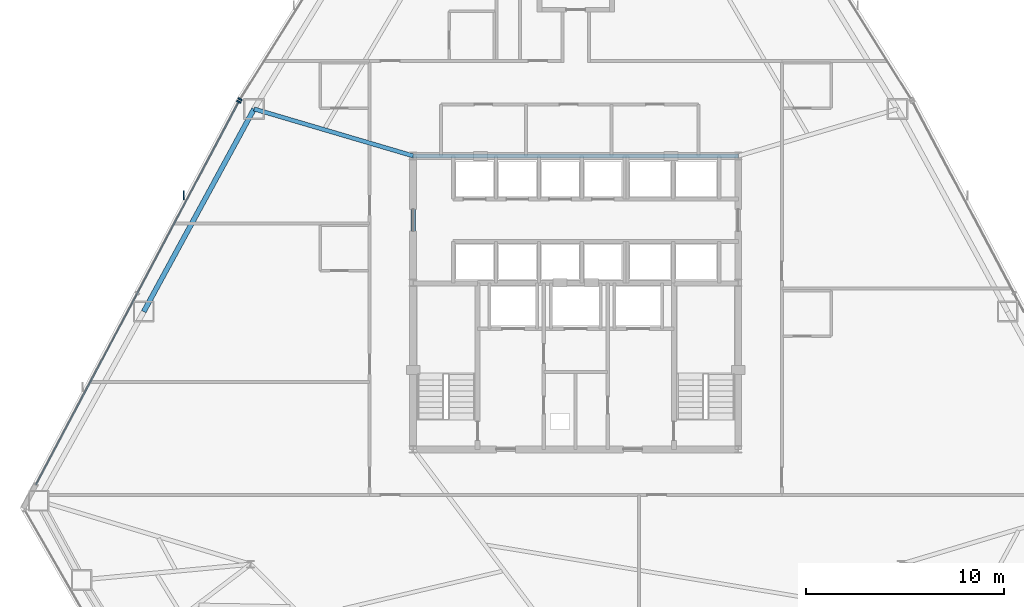
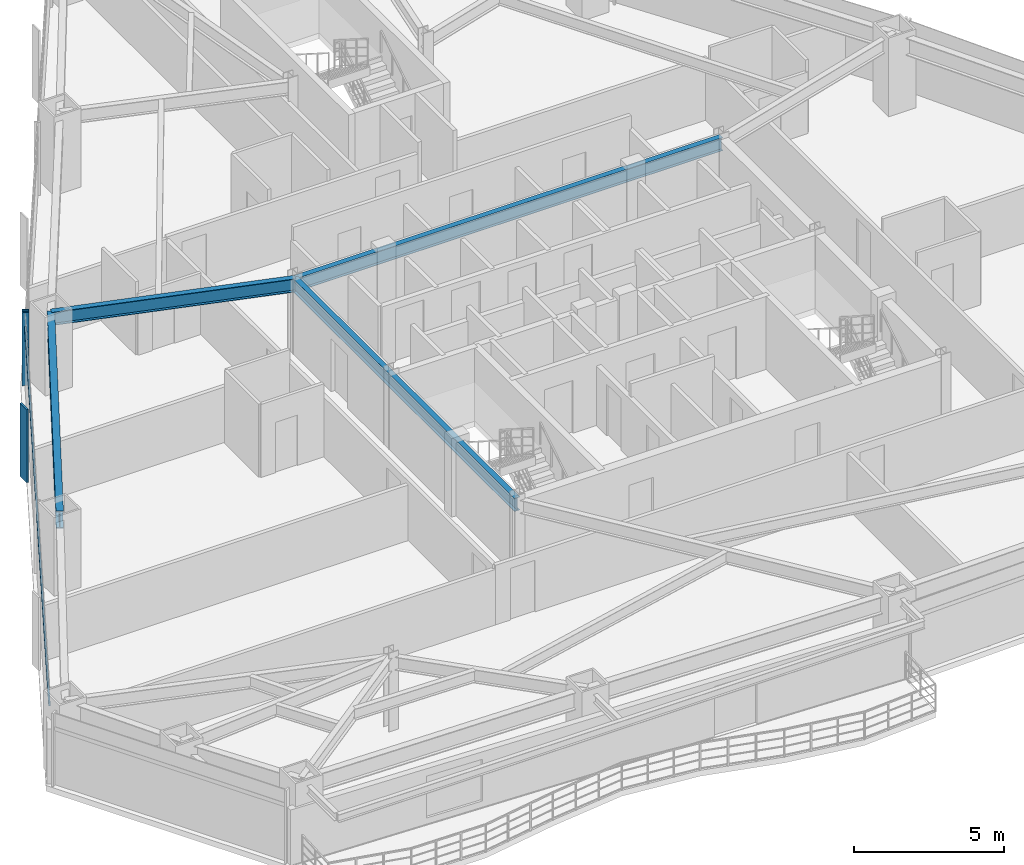
# One storey, part 5 of 13: 4 beams, 4 members, 2 elements without a shape of their own.
"""IFC4 building model written with IfcOpenShell, lengths in metres."""

from ifc_helpers import new_model, si_unit, direction, frame, origin, origin_2d, place, context, subcontext, project, spatial, rectangle, i_section, extrude, source, transform, mapped, material, layer, layer_set, material_profile, profile_set, type_object, type_shapes, element, aggregate, save


model = new_model("IFC4")

# Units and contexts
model_context = context("Model", 3, precision=1e-05, world=origin(), true_north=direction((0.0, 1.0)))
body_context = subcontext(model_context, "Body", "Model", "MODEL_VIEW")
ifc_project = project(units=[si_unit("LENGTHUNIT", "METRE"), si_unit("AREAUNIT", "SQUARE_METRE"), si_unit("VOLUMEUNIT", "CUBIC_METRE"), si_unit("PLANEANGLEUNIT", "RADIAN"), si_unit("MASSUNIT", "GRAM", prefix="KILO")], contexts=[model_context])

# Site, building, storey
site_placement = place(None, origin())
site = spatial("IfcSite", under=ifc_project, at=site_placement, CompositionType="ELEMENT")
building_placement = place(site_placement, origin())
building = spatial("IfcBuilding", under=site, at=building_placement, Name="Varakhsha Concourse Tower", CompositionType="ELEMENT")
storey_placement = place(building_placement, frame((0.0, 0.0, 92.60009765625)))
storey = spatial("IfcBuildingStorey", under=building, at=storey_placement, Name="L26", CompositionType="ELEMENT", Elevation=92.60009765625)

# Beams
ifc_material_1 = material(Name="Structural Steel ASTM A992 Grade 50", Category="steel")
ifc_material_profile_1 = material_profile(ifc_material_1, i_section(OverallWidth=0.2109375, OverallDepth=0.5390625, WebThickness=0.011962890625, FlangeThickness=0.01904296875, at=origin_2d()), Name="W21X73")
ifc_profile_set_1 = profile_set([ifc_material_profile_1], Name="Structural Steel ASTM A992 Grade 50")
beam_type_1 = type_object("IfcBeamType", Name="BM-RAD-W21X73", PredefinedType="BEAM", material=ifc_profile_set_1)
beam_1_placement = place(storey_placement, frame((31.800048828125, 31.199951171875, 2.700439453125), z_axis=(1.0, 0.0, 0.0), x_axis=(0.0, 1.0, 0.0)))
element("IfcBeam", 1, at=beam_1_placement, inside=storey, type_object=beam_type_1, Name="BM-TCORE-L26-CN", PredefinedType="BEAM", context=body_context, shape_type="SweptSolid", body=[
    extrude(i_section(OverallWidth=0.2109375, OverallDepth=0.5390625, WebThickness=0.011962890625, FlangeThickness=0.01904296875, at=origin_2d()), origin(), (0.0, 0.0, 1.0), 16.39990234375),
])
beam_2_placement = place(storey_placement, frame((31.800048828125, 16.39990234375, 2.700439453125), z_axis=(0.0, 1.0, 0.0), x_axis=(-1.0, 0.0, 0.0)))
element("IfcBeam", 2, at=beam_2_placement, inside=storey, type_object=beam_type_1, Name="BM-TCORE-L26-CW", PredefinedType="BEAM", context=body_context, shape_type="SweptSolid", body=[
    extrude(i_section(OverallWidth=0.2109375, OverallDepth=0.5390625, WebThickness=0.011962890625, FlangeThickness=0.01904296875, at=origin_2d()), origin(), (0.0, 0.0, 1.0), 14.800048828125),
])
beam_3_placement = place(storey_placement, frame((31.800048828125, 31.199951171875, 2.700439453125), z_axis=(-0.959108264711, 0.283039461143, 0.0), x_axis=(-0.283039461143, -0.959108264711, 0.0)))
element("IfcBeam", 3, at=beam_3_placement, inside=storey, type_object=beam_type_1, Name="L26 Radial Floor Girder 05", PredefinedType="BEAM", context=body_context, shape_type="SweptSolid", body=[
    extrude(i_section(OverallWidth=0.2109375, OverallDepth=0.5390625, WebThickness=0.011962890625, FlangeThickness=0.01904296875, at=origin_2d()), origin(), (0.0, 0.0, 1.0), 8.370361328125),
])
ifc_material_profile_2 = material_profile(ifc_material_1, i_section(OverallWidth=0.25390625, OverallDepth=0.701904296875, WebThickness=0.014892578125, FlangeThickness=0.028076171875, at=origin_2d()), Name="W27X129")
ifc_profile_set_2 = profile_set([ifc_material_profile_2], Name="Structural Steel ASTM A992 Grade 50")
beam_type_2 = type_object("IfcBeamType", Name="BM-SPAN-W27X129", PredefinedType="SPANDREL", material=ifc_profile_set_2)
beam_4_placement = place(storey_placement, frame((23.77197265625, 33.569091796875, 2.618896484375), z_axis=(-0.478070108108, -0.878321678962, 0.0), x_axis=(0.878321678962, -0.478070108108, 0.0)))
element("IfcBeam", 4, at=beam_4_placement, inside=storey, type_object=beam_type_2, Name="BM-SPAN-L26-05", PredefinedType="SPANDREL", context=body_context, shape_type="SweptSolid", body=[
    extrude(i_section(OverallWidth=0.25390625, OverallDepth=0.701904296875, WebThickness=0.014892578125, FlangeThickness=0.028076171875, at=origin_2d()), origin(), (0.0, 0.0, 1.0), 11.639404296875),
])

# Curtain wall, member
ifc_material_2 = material(Name="Anodised Bronze Architectural Aluminium AA 6063-T6", Category="aluminium")
ifc_layer = layer(ifc_material_2, 0.199951171875, Name="CW-SYS-03")
ifc_layer_set = layer_set([ifc_layer], Name="Anodised Bronze Architectural Aluminium AA 6063-T6")
curtain_wall_type = type_object("IfcCurtainWallType", Name="CW-SYS-03", PredefinedType="NOTDEFINED", material=ifc_layer_set)
curtain_wall_1_placement = place(storey_placement, origin())
curtain_wall_1 = element("IfcCurtainWall", 5, at=curtain_wall_1_placement, inside=storey, type_object=curtain_wall_type, Name="L26 Crystal Curtain Wall F2", PredefinedType="NOTDEFINED")
ifc_material_profile_3 = material_profile(ifc_material_2, rectangle(XDim=0.074951171875, YDim=0.219970703125, at=origin_2d()), Name="CWM-220X75")
ifc_profile_set_3 = profile_set([ifc_material_profile_3], Name="Anodised Bronze Architectural Aluminium AA 6063-T6")
member_type_1 = type_object("IfcMemberType", Name="CWM-220X75", PredefinedType="MULLION", material=ifc_profile_set_3)
shared_shape_1 = source(origin(), body_context, "Body", "SweptSolid", [
    extrude(rectangle(XDim=0.074951171875, YDim=0.219970703125, at=origin_2d()), origin(), (0.0, 0.0, 1.0), 2.969970703125),
])
type_shapes(member_type_1, [shared_shape_1])
member_1_placement = place(storey_placement, frame((23.07373046875, 34.05810546875, 0.0), z_axis=(0.0, 0.0, 1.0), x_axis=(0.531209317405, 0.847240615824, 0.0)))
member_1 = element("IfcMember", 6, at=member_1_placement, type_object=member_type_1, Name="CW-L26-F2 Mullion 00", PredefinedType="MULLION", context=body_context, shape_type="MappedRepresentation", body=[
    mapped(shared_shape_1, transform((0.0, 0.0, 0.0), scale=1.0)),
])
aggregate(curtain_wall_1, [member_1])

# Curtain wall, members
curtain_wall_2_placement = place(storey_placement, origin())
curtain_wall_2 = element("IfcCurtainWall", 7, at=curtain_wall_2_placement, inside=storey, type_object=curtain_wall_type, Name="L26 Crystal Curtain Wall F3", PredefinedType="NOTDEFINED")
member_2_placement = place(storey_placement, frame((22.99951171875, 33.9296875, 0.0), z_axis=(0.0, 0.0, 1.0), x_axis=(0.468124153157, 0.883662705579, 0.0)))
member_2 = element("IfcMember", 8, at=member_2_placement, type_object=member_type_1, Name="CW-L26-F3 Mullion 02", PredefinedType="MULLION", context=body_context, shape_type="MappedRepresentation", body=[
    mapped(shared_shape_1, transform((0.0, 0.0, 0.0), scale=1.0)),
])
ifc_material_profile_4 = material_profile(ifc_material_2, rectangle(XDim=0.06494140625, YDim=0.449951171875, at=origin_2d()), Name="FIN-BRZ-450")
ifc_profile_set_4 = profile_set([ifc_material_profile_4], Name="Anodised Bronze Architectural Aluminium AA 6063-T6")
member_type_2 = type_object("IfcMemberType", Name="FIN-BRZ-450", PredefinedType="USERDEFINED", material=ifc_profile_set_4)
shared_shape_2 = source(origin(), body_context, "Body", "SweptSolid", [
    extrude(rectangle(XDim=0.06494140625, YDim=0.449951171875, at=origin_2d()), origin(), (0.0, 0.0, 1.0), 2.969970703125),
])
type_shapes(member_type_2, [shared_shape_2])
member_3_placement = place(storey_placement, frame((20.22998046875, 29.214599609375, 0.0), z_axis=(0.0, 0.0, 1.0), x_axis=(1.0, 0.0, 0.0)))
member_3 = element("IfcMember", 9, at=member_3_placement, type_object=member_type_2, Name="L26 Anodised Bronze Solar Fin F3-2", ObjectType="SOLAR FIN", PredefinedType="USERDEFINED", context=body_context, shape_type="MappedRepresentation", body=[
    mapped(shared_shape_2, transform((0.0, 0.0, 0.0), scale=1.0)),
])
ifc_material_profile_5 = material_profile(ifc_material_2, rectangle(XDim=0.06494140625, YDim=0.159912109375, at=origin_2d()), Name="CWT-160X65")
ifc_profile_set_5 = profile_set([ifc_material_profile_5], Name="Anodised Bronze Architectural Aluminium AA 6063-T6")
member_type_3 = type_object("IfcMemberType", Name="CWT-160X65", PredefinedType="USERDEFINED", material=ifc_profile_set_5)
shared_shape_3 = source(origin(), body_context, "Body", "SweptSolid", [
    extrude(rectangle(XDim=0.06494140625, YDim=0.159912109375, at=origin_2d()), origin(), (0.0, 0.0, 1.0), 21.85107421875),
])
type_shapes(member_type_3, [shared_shape_3])
member_4_placement = place(storey_placement, frame((12.7705078125, 14.62060546875, 2.31982421875), z_axis=(0.468121791174, 0.883663956846, 0.0), x_axis=(-0.883663956846, 0.468121791174, 0.0)))
member_4 = element("IfcMember", 10, at=member_4_placement, type_object=member_type_3, Name="CW-L26-F3 Transom 01", ObjectType="TRANSOM", PredefinedType="USERDEFINED", context=body_context, shape_type="MappedRepresentation", body=[
    mapped(shared_shape_3, transform((0.0, 0.0, 0.0), scale=1.0)),
])
aggregate(curtain_wall_2, [member_2, member_4, member_3])

save(model, "model.ifc")
